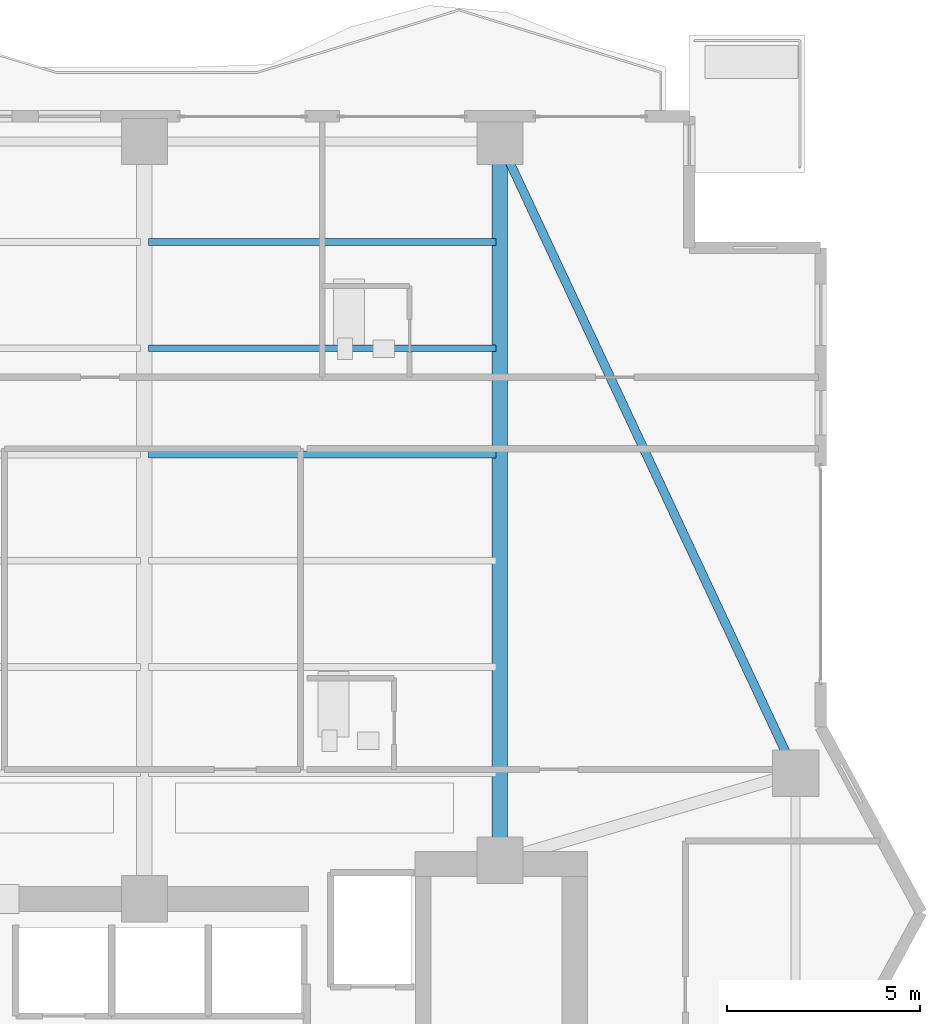
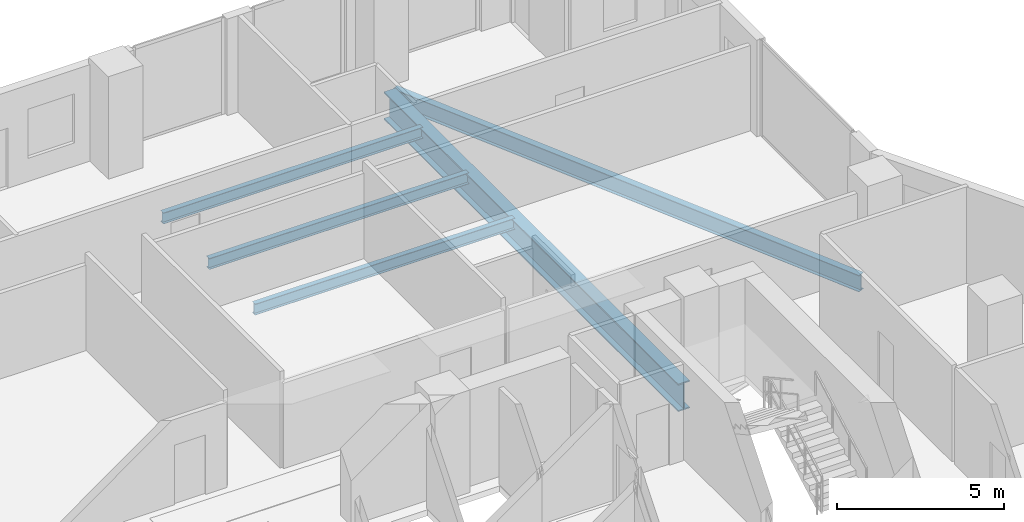
# One storey, part 21 of 33: 5 beams.
"""IFC4 building model written with IfcOpenShell, lengths in metres."""

from ifc_helpers import new_model, si_unit, direction, frame, origin, origin_2d, place, context, subcontext, project, spatial, i_section, extrude, material, material_profile, profile_set, type_object, element, save


model = new_model("IFC4")

# Units and contexts
model_context = context("Model", 3, precision=1e-05, world=origin(), true_north=direction((0.0, 1.0)))
body_context = subcontext(model_context, "Body", "Model", "MODEL_VIEW")
ifc_project = project(units=[si_unit("LENGTHUNIT", "METRE"), si_unit("AREAUNIT", "SQUARE_METRE"), si_unit("VOLUMEUNIT", "CUBIC_METRE"), si_unit("PLANEANGLEUNIT", "RADIAN"), si_unit("MASSUNIT", "GRAM", prefix="KILO")], contexts=[model_context])

# Site, building, storey
site_placement = place(None, origin())
site = spatial("IfcSite", under=ifc_project, at=site_placement, CompositionType="ELEMENT")
building_placement = place(site_placement, origin())
building = spatial("IfcBuilding", under=site, at=building_placement, Name="Zuhayl Quay Hotel", CompositionType="ELEMENT")
storey_placement = place(building_placement, frame((0.0, 0.0, 214.89990234375)))
storey = spatial("IfcBuildingStorey", under=building, at=storey_placement, Name="L54", CompositionType="ELEMENT", Elevation=214.89990234375)

# Beams
ifc_material = material(Name="Steel ASTM A992 Grade 50", Category="steel")
ifc_material_profile_1 = material_profile(ifc_material, i_section(OverallWidth=0.22802734375, OverallDepth=0.60693359375, WebThickness=0.01123046875, FlangeThickness=0.017333984375, at=origin_2d()), Name="W24X76")
ifc_profile_set_1 = profile_set([ifc_material_profile_1], Name="Steel ASTM A992 Grade 50")
beam_type_1 = type_object("IfcBeamType", Name="BM_B3_W24X76", PredefinedType="BEAM", material=ifc_profile_set_1)
beam_1_placement = place(storey_placement, frame((21.238037109375, 17.052978515625, -0.5234375), z_axis=(-0.423792164429, 0.905759461098, 0.0), x_axis=(-0.905759461098, -0.423792164429, 0.0)))
element("IfcBeam", 1, at=beam_1_placement, inside=storey, type_object=beam_type_1, Name="L54 Floor Beam RG_L54_06", PredefinedType="BEAM", context=body_context, shape_type="SweptSolid", body=[
    extrude(i_section(OverallWidth=0.22802734375, OverallDepth=0.60693359375, WebThickness=0.01123046875, FlangeThickness=0.017333984375, at=origin_2d()), origin(), (0.0, 0.0, 1.0), 17.051025390625),
])
ifc_material_profile_2 = material_profile(ifc_material, i_section(OverallWidth=0.177978515625, OverallDepth=0.406005859375, WebThickness=0.0078125, FlangeThickness=0.0126953125, at=origin_2d()), Name="W16X40")
ifc_profile_set_2 = profile_set([ifc_material_profile_2], Name="Steel ASTM A992 Grade 50")
beam_type_2 = type_object("IfcBeamType", Name="BM_J2B_W16X40", PredefinedType="JOIST", material=ifc_profile_set_2)
for number, where, z_axis, x_axis, name in (
    (2, (4.7060546875, 24.85009765625, -0.4228515625), (1.0, 0.0, 0.0), (0.0, 1.0, 0.0), "L54 Floor Beam FJ_L54_4_3"),
    (3, (4.7060546875, 27.60009765625, -0.4228515625), (1.0, 0.0, 0.0), (0.0, 1.0, 0.0), "L54 Floor Beam FJ_L54_5_3"),
    (4, (4.7060546875, 30.35009765625, -0.4228515625), (1.0, 0.0, 0.0), (0.0, 1.0, 0.0), "L54 Floor Beam FJ_L54_6_3"),
):
    element("IfcBeam", number, at=place(storey_placement, frame(where, z_axis=z_axis, x_axis=x_axis)), inside=storey, type_object=beam_type_2, Name=name, PredefinedType="JOIST", context=body_context, shape_type="SweptSolid", body=[
        extrude(i_section(OverallWidth=0.177978515625, OverallDepth=0.406005859375, WebThickness=0.0078125, FlangeThickness=0.0126953125, at=origin_2d()), origin(), (0.0, 0.0, 1.0), 8.988037109375),
    ])
ifc_material_profile_3 = material_profile(ifc_material, i_section(OverallWidth=0.40087890625, OverallDepth=1.010986328125, WebThickness=0.023681640625, FlangeThickness=0.0419921875, at=origin_2d()), Name="W40X297")
ifc_profile_set_3 = profile_set([ifc_material_profile_3], Name="Steel ASTM A992 Grade 50")
beam_type_3 = type_object("IfcBeamType", Name="BM_TG2_W40X297", PredefinedType="BEAM", material=ifc_profile_set_3)
beam_2_placement = place(storey_placement, frame((13.800048828125, 14.800048828125, -0.725341796875), z_axis=(0.0, 1.0, 0.0), x_axis=(-1.0, 0.0, 0.0)))
element("IfcBeam", 5, at=beam_2_placement, inside=storey, type_object=beam_type_3, Name="L54 Floor Beam FG_N_L54_4", PredefinedType="BEAM", context=body_context, shape_type="SweptSolid", body=[
    extrude(i_section(OverallWidth=0.40087890625, OverallDepth=1.010986328125, WebThickness=0.023681640625, FlangeThickness=0.0419921875, at=origin_2d()), origin(), (0.0, 0.0, 1.0), 17.64990234375),
])

save(model, "model.ifc")
